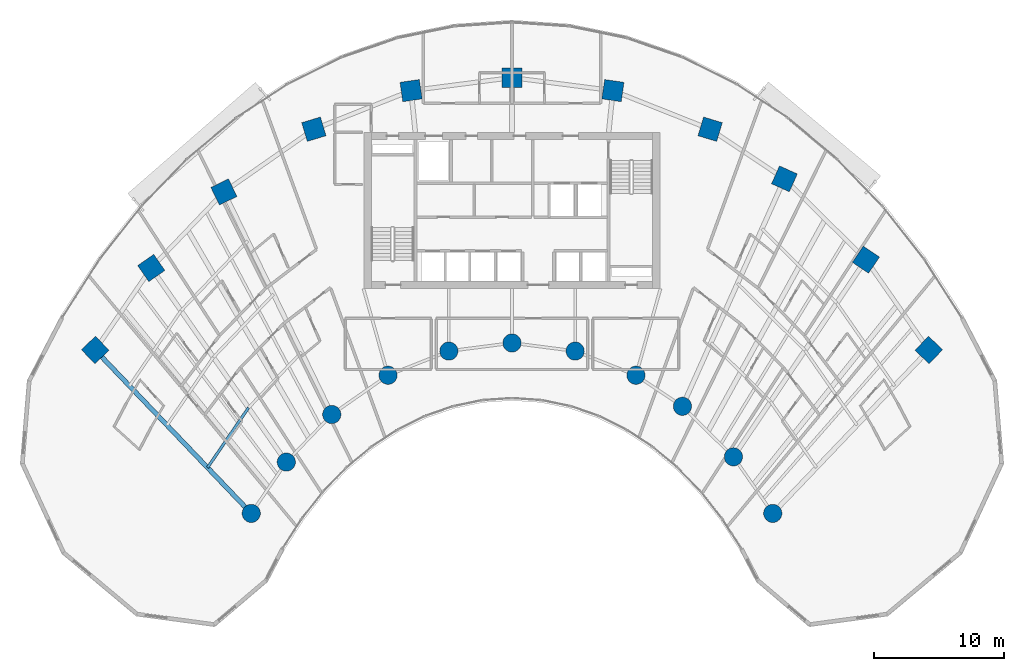
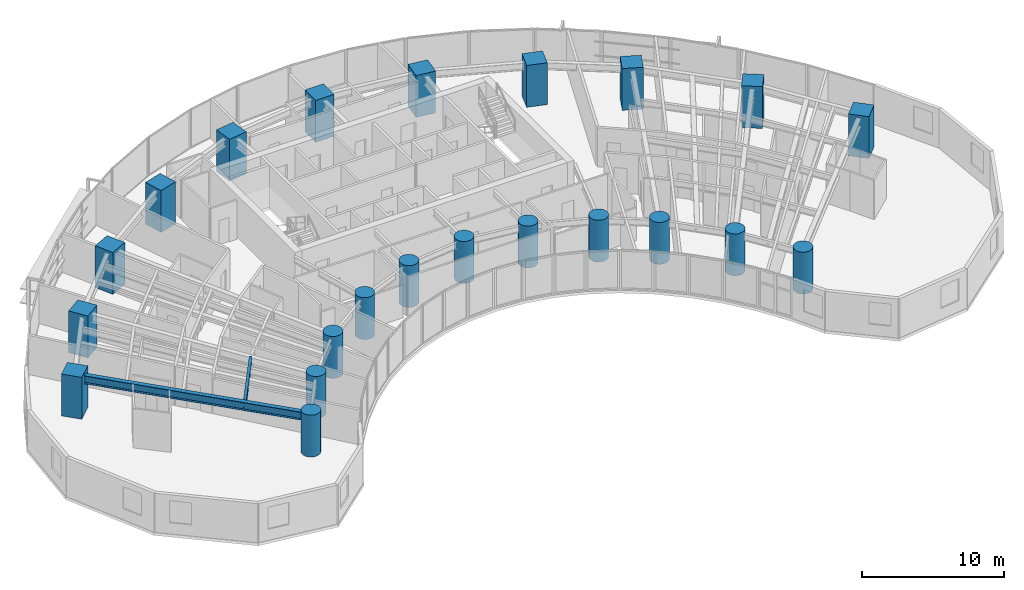
# One storey, part 1 of 18: 22 columns, 2 beams.
"""IFC4 building model written with IfcOpenShell, lengths in metres."""

from ifc_helpers import new_model, si_unit, direction, frame, origin, origin_2d, place, context, subcontext, project, spatial, rectangle, circle, i_section, extrude, source, transform, mapped, material, material_profile, profile_set, type_object, type_shapes, element, save


model = new_model("IFC4")

# Units and contexts
model_context = context("Model", 3, precision=1e-05, world=origin(), true_north=direction((0.0, 1.0)))
body_context = subcontext(model_context, "Body", "Model", "MODEL_VIEW")
ifc_project = project(units=[si_unit("LENGTHUNIT", "METRE"), si_unit("AREAUNIT", "SQUARE_METRE"), si_unit("VOLUMEUNIT", "CUBIC_METRE"), si_unit("PLANEANGLEUNIT", "RADIAN"), si_unit("MASSUNIT", "GRAM", prefix="KILO")], contexts=[model_context])

# Site, building, storey
site_placement = place(None, origin())
site = spatial("IfcSite", under=ifc_project, at=site_placement, CompositionType="ELEMENT")
building_placement = place(site_placement, origin())
building = spatial("IfcBuilding", under=site, at=building_placement, Name="Breltana Convention Tower", CompositionType="ELEMENT")
storey_placement = place(building_placement, frame((0.0, 0.0, 42.60009765625)))
storey = spatial("IfcBuildingStorey", under=building, at=storey_placement, Name="L08", CompositionType="ELEMENT", Elevation=42.60009765625)

# Columns
ifc_material_1 = material(Name="Concrete C60/75", Category="concrete")
ifc_material_profile_1 = material_profile(ifc_material_1, circle(Radius=0.699951171875, at=origin_2d()), Name="RC-COL-D1400")
ifc_profile_set_1 = profile_set([ifc_material_profile_1], Name="Concrete C60/75")
column_type_1 = type_object("IfcColumnType", Name="COL-RC-D1400", PredefinedType="COLUMN", material=ifc_profile_set_1)
shared_shape_1 = source(origin(), body_context, "Body", "SweptSolid", [
    extrude(circle(Radius=0.699951171875, at=origin_2d()), origin(), (0.0, 0.0, 1.0), 3.599853515625),
])
for number, where, z_axis, x_axis, name in (
    (1, (27.984619140625, 42.95458984375, 0.0), (0.0, 0.0, 1.0), (-0.690756218984, 0.723087716626, 0.0), "L08 Tower Column R01-IN"),
    (2, (30.67724609375, 46.892333984375, 0.0), (0.0, 0.0, 1.0), (-0.571143442153, 0.820850271661, 0.0), "L08 Tower Column R02-IN"),
    (3, (34.166259765625, 50.544921875, 0.0), (0.0, 0.0, 1.0), (-0.436173672171, 0.899862504889, 0.0), "L08 Tower Column R03-IN"),
    (4, (38.485107421875, 53.5576171875, 0.0), (0.0, 0.0, 1.0), (-0.288697611798, 0.957420330337, 0.0), "L08 Tower Column R04-IN"),
    (5, (43.153564453125, 55.41064453125, 0.0), (0.0, 0.0, 1.0), (-0.143492621991, 0.98965138682, 0.0), "L08 Tower Column R05-IN"),
    (6, (48.0, 56.035888671875, 0.0), (0.0, 0.0, 1.0), (0.0, 1.0, 0.0), "L08 Tower Column R06-IN"),
    (7, (52.846435546875, 55.41064453125, 0.0), (0.0, 0.0, 1.0), (0.143492621991, 0.98965138682, 0.0), "L08 Tower Column R07-IN"),
    (8, (57.514892578125, 53.5576171875, 0.0), (0.0, 0.0, 1.0), (0.288697611798, 0.957420330337, 0.0), "L08 Tower Column R08-IN"),
    (9, (61.08203125, 51.174560546875, 0.0), (0.0, 0.0, 1.0), (0.409126902895, 0.912477494148, 0.0), "L08 Tower Column R09-IN"),
    (10, (64.995849609375, 47.293701171875, 0.0), (0.0, 0.0, 1.0), (0.55774510898, 0.830012285095, 0.0), "L08 Tower Column R10-IN"),
    (11, (68.015380859375, 42.95458984375, 0.0), (0.0, 0.0, 1.0), (0.690756218984, 0.723087716626, 0.0), "L08 Tower Column R11-IN"),
):
    element("IfcColumn", number, at=place(storey_placement, frame(where, z_axis=z_axis, x_axis=x_axis)), inside=storey, type_object=column_type_1, Name=name, PredefinedType="COLUMN", context=body_context, shape_type="MappedRepresentation", body=[
        mapped(shared_shape_1, transform((0.0, 0.0, 0.0), scale=1.0)),
    ])
ifc_material_profile_2 = material_profile(ifc_material_1, rectangle(XDim=1.5, YDim=1.5, at=origin_2d()), Name="RC-COL-1500X1500")
ifc_profile_set_2 = profile_set([ifc_material_profile_2], Name="Concrete C60/75")
column_type_2 = type_object("IfcColumnType", Name="COL-RC-1500", PredefinedType="COLUMN", material=ifc_profile_set_2)
shared_shape_2 = source(origin(), body_context, "Body", "SweptSolid", [
    extrude(rectangle(XDim=1.5, YDim=1.5, at=origin_2d()), origin(), (0.0, 0.0, 1.0), 3.599853515625),
])
for number, where, z_axis, x_axis, name in (
    (12, (16.0068359375, 55.494384765625, 0.0), (0.0, 0.0, 1.0), (-0.690756218984, 0.723087716626, 0.0), "L08 Tower Column R01-OUT"),
    (13, (20.310791015625, 61.78857421875, 0.0), (0.0, 0.0, 1.0), (-0.571143442153, 0.820850271661, 0.0), "L08 Tower Column R02-OUT"),
    (14, (25.8876953125, 67.626953125, 0.0), (0.0, 0.0, 1.0), (-0.436173672171, 0.899862504889, 0.0), "L08 Tower Column R03-OUT"),
    (15, (32.791015625, 72.4423828125, 0.0), (0.0, 0.0, 1.0), (-0.288697611798, 0.957420330337, 0.0), "L08 Tower Column R04-OUT"),
    (16, (40.253173828125, 75.404296875, 0.0), (0.0, 0.0, 1.0), (-0.143492621991, 0.98965138682, 0.0), "L08 Tower Column R05-OUT"),
    (17, (48.0, 76.404052734375, 0.0), (0.0, 0.0, 1.0), (0.0, 1.0, 0.0), "L08 Tower Column R06-OUT"),
    (18, (55.746826171875, 75.404296875, 0.0), (0.0, 0.0, 1.0), (0.143492621991, 0.98965138682, 0.0), "L08 Tower Column R07-OUT"),
    (19, (63.208984375, 72.4423828125, 0.0), (0.0, 0.0, 1.0), (0.288697611798, 0.957420330337, 0.0), "L08 Tower Column R08-OUT"),
    (20, (68.910400390625, 68.63330078125, 0.0), (0.0, 0.0, 1.0), (0.409126902895, 0.912477494148, 0.0), "L08 Tower Column R09-OUT"),
    (21, (75.166748046875, 62.43017578125, 0.0), (0.0, 0.0, 1.0), (0.55774510898, 0.830012285095, 0.0), "L08 Tower Column R10-OUT"),
    (22, (79.9931640625, 55.494384765625, 0.0), (0.0, 0.0, 1.0), (0.690756218984, 0.723087716626, 0.0), "L08 Tower Column R11-OUT"),
):
    element("IfcColumn", number, at=place(storey_placement, frame(where, z_axis=z_axis, x_axis=x_axis)), inside=storey, type_object=column_type_2, Name=name, PredefinedType="COLUMN", context=body_context, shape_type="MappedRepresentation", body=[
        mapped(shared_shape_2, transform((0.0, 0.0, 0.0), scale=1.0)),
    ])

# Beams
ifc_material_2 = material(Name="Steel ASTM A992 Grade 50", Category="steel")
ifc_material_profile_3 = material_profile(ifc_material_2, i_section(OverallWidth=0.35498046875, OverallDepth=0.696044921875, WebThickness=0.015380859375, FlangeThickness=0.02490234375, at=origin_2d()), Name="W27X146")
ifc_profile_set_3 = profile_set([ifc_material_profile_3], Name="Steel ASTM A992 Grade 50")
beam_type_1 = type_object("IfcBeamType", Name="BM-RG-W27X146", PredefinedType="USERDEFINED", material=ifc_profile_set_3)
shared_shape_3 = source(origin(), body_context, "Body", "SweptSolid", [
    extrude(i_section(OverallWidth=0.35498046875, OverallDepth=0.696044921875, WebThickness=0.015380859375, FlangeThickness=0.02490234375, at=origin_2d()), origin(), (0.0, 0.0, 1.0), 17.341064453125),
])
type_shapes(beam_type_1, [shared_shape_3])
beam_1_placement = place(storey_placement, frame((27.984619140625, 42.95458984375, 3.011962890625), z_axis=(-0.690716462293, 0.723125693581, 0.0), x_axis=(-0.723125693581, -0.690716462293, 0.0)))
element("IfcBeam", 23, at=beam_1_placement, inside=storey, type_object=beam_type_1, Name="L08 Radial Floor Girder R01", ObjectType="GIRDER", PredefinedType="USERDEFINED", context=body_context, shape_type="MappedRepresentation", body=[
    mapped(shared_shape_3, transform((0.0, 0.0, 0.0), scale=1.0)),
])
ifc_material_profile_4 = material_profile(ifc_material_2, i_section(OverallWidth=0.2099609375, OverallDepth=0.537109375, WebThickness=0.010986328125, FlangeThickness=0.017333984375, at=origin_2d()), Name="W21X68")
ifc_profile_set_4 = profile_set([ifc_material_profile_4], Name="Steel ASTM A992 Grade 50")
beam_type_2 = type_object("IfcBeamType", Name="BM-JSG-04", PredefinedType="JOIST", material=ifc_profile_set_4)
shared_shape_4 = source(origin(), body_context, "Body", "SweptSolid", [
    extrude(i_section(OverallWidth=0.2099609375, OverallDepth=0.537109375, WebThickness=0.010986328125, FlangeThickness=0.017333984375, at=origin_2d()), origin(), (0.0, 0.0, 1.0), 5.569580078125),
])
type_shapes(beam_type_2, [shared_shape_4])
beam_2_placement = place(storey_placement, frame((24.630615234375, 46.4658203125, 3.09130859375), z_axis=(0.564493760458, 0.825437335237, 0.0), x_axis=(-0.825437335237, 0.564493760458, 0.0)))
element("IfcBeam", 24, at=beam_2_placement, inside=storey, type_object=beam_type_2, Name="L08 Composite Floor Joist 01.1", PredefinedType="JOIST", context=body_context, shape_type="MappedRepresentation", body=[
    mapped(shared_shape_4, transform((0.0, 0.0, 0.0), scale=1.0)),
])

save(model, "model.ifc")
